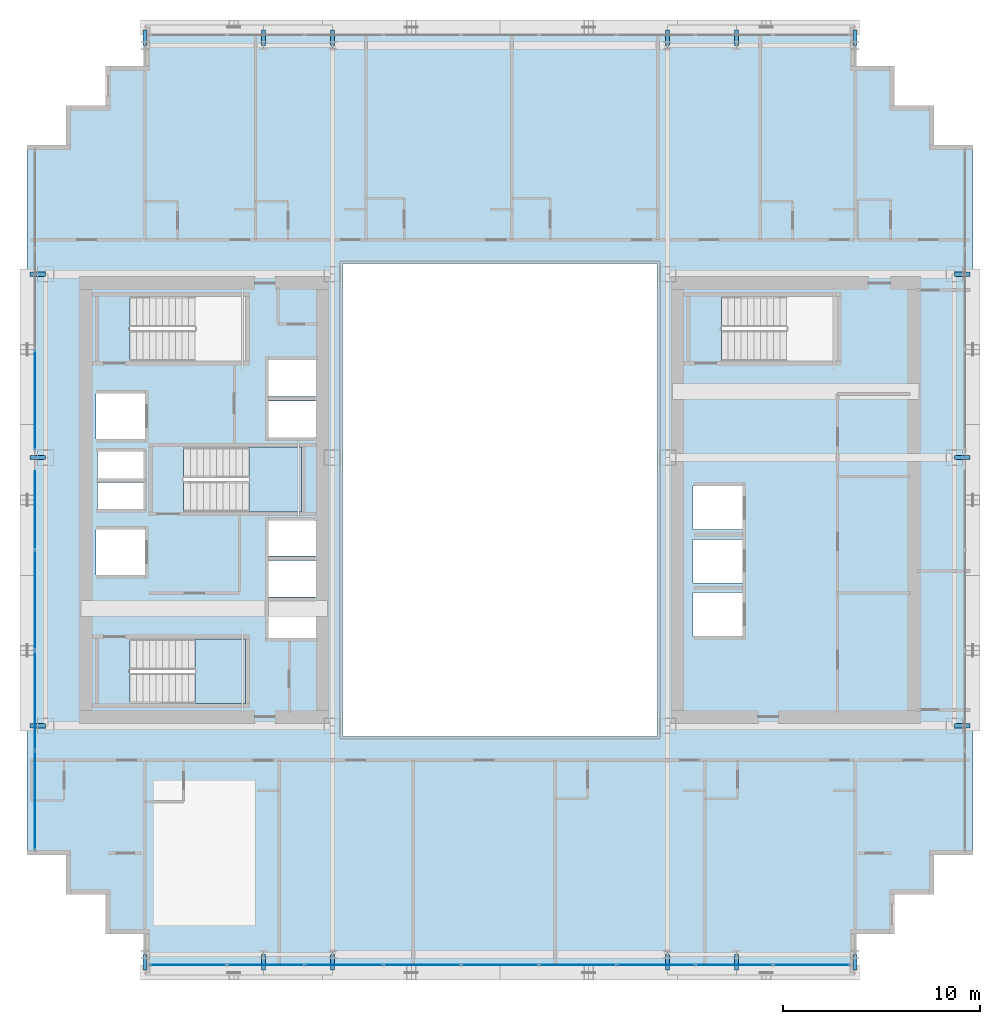
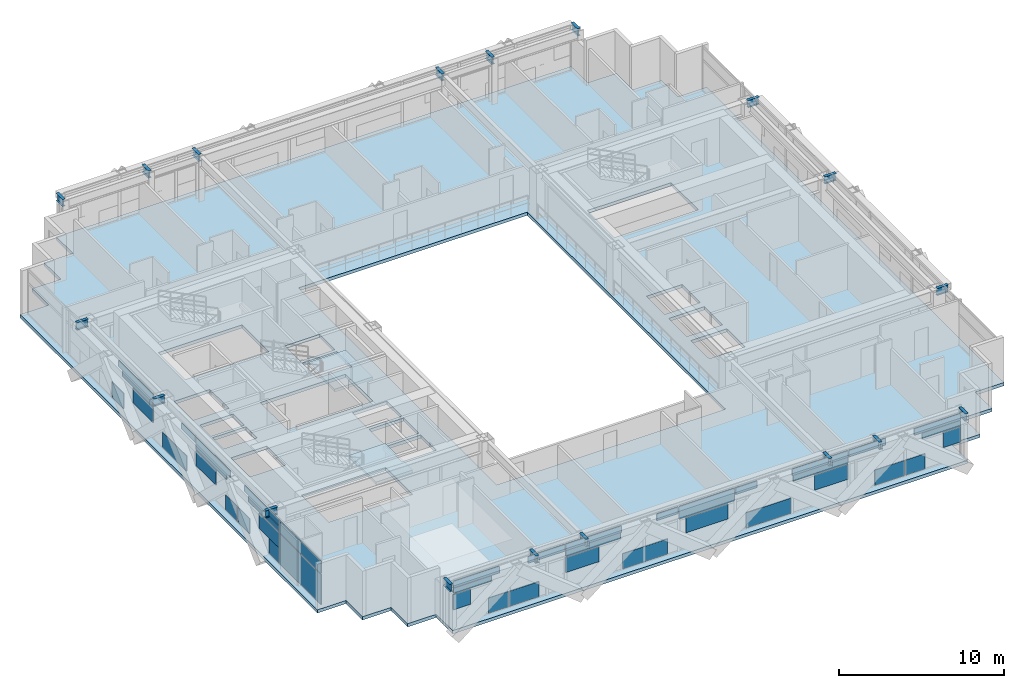
# One storey, part 23 of 35: 41 plates, 18 beams, 3 slabs, 4 elements without a shape of their own.
"""IFC4 building model written with IfcOpenShell, lengths in metres."""

from ifc_helpers import new_model, si_unit, direction, frame, origin, origin_2d, place, context, subcontext, project, spatial, polyline, rectangle, i_section, outline, extrude, source, transform, mapped, material, layer, layer_set, material_profile, profile_set, type_object, element, aggregate, save


model = new_model("IFC4")

# Units and contexts
model_context = context("Model", 3, precision=1e-05, world=origin(), true_north=direction((0.0, 1.0)))
body_context = subcontext(model_context, "Body", "Model", "MODEL_VIEW")
ifc_project = project(units=[si_unit("LENGTHUNIT", "METRE"), si_unit("AREAUNIT", "SQUARE_METRE"), si_unit("VOLUMEUNIT", "CUBIC_METRE"), si_unit("PLANEANGLEUNIT", "RADIAN"), si_unit("MASSUNIT", "GRAM", prefix="KILO")], contexts=[model_context])

# Site, building, storey
site_placement = place(None, origin())
site = spatial("IfcSite", under=ifc_project, at=site_placement, CompositionType="ELEMENT")
building_placement = place(site_placement, origin())
building = spatial("IfcBuilding", under=site, at=building_placement, Name="Ocotamira Hotel", CompositionType="ELEMENT")
storey_placement = place(building_placement, frame((0.0, 0.0, 140.39990234375)))
storey = spatial("IfcBuildingStorey", under=building, at=storey_placement, Name="L35", CompositionType="ELEMENT", Elevation=140.39990234375)

# Beams
ifc_material_1 = material(Name="Steel ASTM A992 Grade 50", Category="steel")
ifc_material_profile = material_profile(ifc_material_1, i_section(OverallWidth=0.2099609375, OverallDepth=0.537109375, WebThickness=0.010986328125, FlangeThickness=0.017333984375, FilletRadius=0.012939453125, at=origin_2d()), Name="W21X68")
ifc_profile_set = profile_set([ifc_material_profile], Name="Steel ASTM A992 Grade 50")
beam_type = type_object("IfcBeamType", Name="BM-SEC-W21X68", PredefinedType="JOIST", material=ifc_profile_set)
shared_shape_1 = source(origin(), body_context, "Body", "SweptSolid", [
    extrude(i_section(OverallWidth=0.2099609375, OverallDepth=0.537109375, WebThickness=0.010986328125, FlangeThickness=0.017333984375, FilletRadius=0.012939453125, at=origin_2d()), origin(), (0.0, 0.0, 1.0), 0.800048828125),
])
for number, where, z_axis, x_axis, name in (
    (1, (14.0, 2.949951171875, 3.091552734375), (0.0, -1.0, 0.0), (1.0, 0.0, 0.0), "L35 South Edge Header X14"),
    (2, (14.0, 49.050048828125, 3.091552734375), (0.0, 1.0, 0.0), (-1.0, 0.0, 0.0), "L35 North Edge Header X14"),
    (3, (20.0, 2.949951171875, 3.091552734375), (0.0, -1.0, 0.0), (1.0, 0.0, 0.0), "L35 South Edge Header X20"),
    (4, (20.0, 49.050048828125, 3.091552734375), (0.0, 1.0, 0.0), (-1.0, 0.0, 0.0), "L35 North Edge Header X20"),
    (5, (23.5, 2.949951171875, 3.091552734375), (0.0, -1.0, 0.0), (1.0, 0.0, 0.0), "L35 South Edge Header X23.5"),
    (6, (23.5, 49.050048828125, 3.091552734375), (0.0, 1.0, 0.0), (-1.0, 0.0, 0.0), "L35 North Edge Header X23.5"),
    (7, (40.5, 2.949951171875, 3.091552734375), (0.0, -1.0, 0.0), (1.0, 0.0, 0.0), "L35 South Edge Header X40.5"),
    (8, (40.5, 49.050048828125, 3.091552734375), (0.0, 1.0, 0.0), (-1.0, 0.0, 0.0), "L35 North Edge Header X40.5"),
    (9, (44.0, 2.949951171875, 3.091552734375), (0.0, -1.0, 0.0), (1.0, 0.0, 0.0), "L35 South Edge Header X44"),
    (10, (44.0, 49.050048828125, 3.091552734375), (0.0, 1.0, 0.0), (-1.0, 0.0, 0.0), "L35 North Edge Header X44"),
    (11, (50.0, 2.949951171875, 3.091552734375), (0.0, -1.0, 0.0), (1.0, 0.0, 0.0), "L35 South Edge Header X50"),
    (12, (50.0, 49.050048828125, 3.091552734375), (0.0, 1.0, 0.0), (-1.0, 0.0, 0.0), "L35 North Edge Header X50"),
    (13, (8.949951171875, 14.550048828125, 3.091552734375), (-1.0, 0.0, 0.0), (0.0, -1.0, 0.0), "L35 West Edge Header Y14.55"),
    (14, (55.050048828125, 14.550048828125, 3.091552734375), (1.0, 0.0, 0.0), (0.0, 1.0, 0.0), "L35 East Edge Header Y14.55"),
    (15, (8.949951171875, 28.14990234375, 3.091552734375), (-1.0, 0.0, 0.0), (0.0, -1.0, 0.0), "L35 West Edge Header Y28.15"),
    (16, (55.050048828125, 28.14990234375, 3.091552734375), (1.0, 0.0, 0.0), (0.0, 1.0, 0.0), "L35 East Edge Header Y28.15"),
    (17, (8.949951171875, 37.449951171875, 3.091552734375), (-1.0, 0.0, 0.0), (0.0, -1.0, 0.0), "L35 West Edge Header Y37.45"),
    (18, (55.050048828125, 37.449951171875, 3.091552734375), (1.0, 0.0, 0.0), (0.0, 1.0, 0.0), "L35 East Edge Header Y37.45"),
):
    element("IfcBeam", number, at=place(storey_placement, frame(where, z_axis=z_axis, x_axis=x_axis)), inside=storey, type_object=beam_type, Name=name, PredefinedType="JOIST", context=body_context, shape_type="MappedRepresentation", body=[
        mapped(shared_shape_1, transform((0.0, 0.0, 0.0), scale=1.0)),
    ])

# Stair, slab
ifc_material_2 = material(Name="Concrete C40/50", Category="concrete")
stair_type = type_object("IfcStairType", Name="ST-CORE-1560", PredefinedType="HALF_TURN_STAIR", material=ifc_material_2)
stair_1_placement = place(storey_placement, origin())
stair_1 = element("IfcStair", 19, at=stair_1_placement, inside=storey, type_object=stair_type, Name="L35 Exit Stair ST-1", PredefinedType="HALF_TURN_STAIR")
ifc_layer_1 = layer(ifc_material_2, 0.199951171875)
ifc_layer_set_1 = layer_set([ifc_layer_1], Name="Concrete C40/50")
slab_type_1 = type_object("IfcSlabType", Name="SLB-LAND-200", PredefinedType="LANDING", material=ifc_layer_set_1)
slab_1_placement = place(storey_placement, frame((0.0, 0.0, 1.60009765625)))
slab_1 = element("IfcSlab", 20, at=slab_1_placement, type_object=slab_type_1, Name="ST-1 landing 1", PredefinedType="LANDING", context=body_context, shape_type="SweptSolid", body=[
    extrude(outline(polyline([(16.530029296875, 15.669921875), (19.090087890625, 15.669921875), (19.090087890625, 18.949951171875), (16.530029296875, 18.949951171875), (16.530029296875, 15.669921875)])), origin(), (0.0, 0.0, 1.0), 0.199951171875),
])
aggregate(stair_1, [slab_1])

stair_2_placement = place(storey_placement, origin())
stair_2 = element("IfcStair", 21, at=stair_2_placement, inside=storey, type_object=stair_type, Name="L35 Exit Stair ST-3", PredefinedType="HALF_TURN_STAIR")
slab_2_placement = place(storey_placement, frame((0.0, 0.0, 1.60009765625)))
slab_2 = element("IfcSlab", 22, at=slab_2_placement, type_object=slab_type_1, Name="ST-3 landing 1", PredefinedType="LANDING", context=body_context, shape_type="SweptSolid", body=[
    extrude(outline(polyline([(19.260009765625, 25.39990234375), (21.919921875, 25.39990234375), (21.919921875, 28.679931640625), (19.260009765625, 28.679931640625), (19.260009765625, 25.39990234375)])), origin(), (0.0, 0.0, 1.0), 0.199951171875),
])
aggregate(stair_2, [slab_2])

# Slab
ifc_layer_2 = layer(ifc_material_2, 0.239990234375)
ifc_layer_set_2 = layer_set([ifc_layer_2], Name="Concrete C40/50")
slab_type_2 = type_object("IfcSlabType", Name="SLB-TYP-240", PredefinedType="FLOOR", material=ifc_layer_set_2)
slab_3_placement = place(storey_placement, frame((0.0, 0.0, -0.239990234375)))
element("IfcSlab", 23, at=slab_3_placement, inside=storey, type_object=slab_type_2, Name="L35 Structural Floor Slab", PredefinedType="FLOOR", context=body_context, shape_type="SweptSolid", body=[
    extrude(outline(polyline([(14.0, 2.0), (50.0, 2.0), (50.0, 4.0), (52.0, 4.0), (52.0, 6.0), (54.0, 6.0), (54.0, 8.0), (56.0, 8.0), (56.0, 44.0), (54.0, 44.0), (54.0, 46.0), (52.0, 46.0), (52.0, 48.0), (50.0, 48.0), (50.0, 50.0), (14.0, 50.0), (14.0, 48.0), (12.0, 48.0), (12.0, 46.0), (10.0, 46.0), (10.0, 44.0), (8.0, 44.0), (8.0, 8.0), (10.0, 8.0), (10.0, 6.0), (12.0, 6.0), (12.0, 4.0), (14.0, 4.0), (14.0, 2.0)]), holes=[polyline([(24.0, 14.0), (40.0, 14.0), (40.0, 38.0), (24.0, 38.0), (24.0, 14.0)]), polyline([(13.22998046875, 15.669921875), (19.090087890625, 15.669921875), (19.090087890625, 18.949951171875), (13.22998046875, 18.949951171875), (13.22998046875, 15.669921875)]), polyline([(13.22998046875, 33.050048828125), (19.090087890625, 33.050048828125), (19.090087890625, 36.330078125), (13.22998046875, 36.330078125), (13.22998046875, 33.050048828125)]), polyline([(15.9599609375, 25.39990234375), (21.919921875, 25.39990234375), (21.919921875, 28.679931640625), (15.9599609375, 28.679931640625), (15.9599609375, 25.39990234375)]), polyline([(43.22998046875, 33.050048828125), (49.090087890625, 33.050048828125), (49.090087890625, 36.330078125), (43.22998046875, 36.330078125), (43.22998046875, 33.050048828125)]), polyline([(41.800048828125, 19.10009765625), (44.300048828125, 19.10009765625), (44.300048828125, 21.300048828125), (41.800048828125, 21.300048828125), (41.800048828125, 19.10009765625)]), polyline([(41.800048828125, 21.800048828125), (44.300048828125, 21.800048828125), (44.300048828125, 24.0), (41.800048828125, 24.0), (41.800048828125, 21.800048828125)]), polyline([(41.800048828125, 24.5), (44.300048828125, 24.5), (44.300048828125, 26.699951171875), (41.800048828125, 26.699951171875), (41.800048828125, 24.5)]), polyline([(20.25, 19.0), (22.659912109375, 19.0), (22.659912109375, 20.85009765625), (20.25, 20.85009765625), (20.25, 19.0)]), polyline([(20.25, 21.080078125), (22.659912109375, 21.080078125), (22.659912109375, 22.929931640625), (20.25, 22.929931640625), (20.25, 21.080078125)]), polyline([(20.25, 23.159912109375), (22.659912109375, 23.159912109375), (22.659912109375, 24.9599609375), (20.25, 24.9599609375), (20.25, 23.159912109375)]), polyline([(20.25, 29.179931640625), (22.659912109375, 29.179931640625), (22.659912109375, 31.030029296875), (20.25, 31.030029296875), (20.25, 29.179931640625)]), polyline([(20.25, 31.260009765625), (22.659912109375, 31.260009765625), (22.659912109375, 33.110107421875), (20.25, 33.110107421875), (20.25, 31.260009765625)]), polyline([(11.5, 22.199951171875), (14.0, 22.199951171875), (14.0, 24.5), (11.5, 24.5), (11.5, 22.199951171875)]), polyline([(11.5, 29.10009765625), (14.0, 29.10009765625), (14.0, 31.39990234375), (11.5, 31.39990234375), (11.5, 29.10009765625)]), polyline([(11.580078125, 25.550048828125), (13.919921875, 25.550048828125), (13.919921875, 26.89990234375), (11.580078125, 26.89990234375), (11.580078125, 25.550048828125)]), polyline([(11.580078125, 27.10009765625), (13.919921875, 27.10009765625), (13.919921875, 28.449951171875), (11.580078125, 28.449951171875), (11.580078125, 27.10009765625)])]), origin(), (0.0, 0.0, 1.0), 0.239990234375),
])

# Curtain wall, plate
ifc_material_3 = material(Name="Anodised pale-metal aluminium and solar glass", Category="aluminium")
ifc_layer_3 = layer(ifc_material_3, 0.179931640625)
ifc_layer_set_3 = layer_set([ifc_layer_3], Name="Anodised pale-metal aluminium and solar glass")
curtain_wall_type = type_object("IfcCurtainWallType", Name="CW-SYS3-Z2", PredefinedType="NOTDEFINED", material=ifc_layer_set_3)
curtain_wall_1_placement = place(storey_placement, origin())
curtain_wall_1 = element("IfcCurtainWall", 24, at=curtain_wall_1_placement, inside=storey, type_object=curtain_wall_type, Name="L35 Curtain Wall CW-3 CW-L35-W", PredefinedType="NOTDEFINED")
ifc_material_4 = material(Name="Double-silver low-E insulated solar glass", Category="glass")
ifc_layer_4 = layer(ifc_material_4, 0.031982421875)
ifc_layer_set_4 = layer_set([ifc_layer_4], Name="Double-silver low-E insulated solar glass")
plate_type = type_object("IfcPlateType", Name="CWP-VISION-32", PredefinedType="CURTAIN_PANEL", material=ifc_layer_set_4)
shared_shape_2 = source(origin(), body_context, "Body", "SweptSolid", [
    extrude(rectangle(XDim=4.9658203125, YDim=0.031982421875, at=origin_2d()), origin(), (0.0, 0.0, 1.0), 2.237548828125),
])
plate_1_placement = place(storey_placement, frame((8.419921875, 10.762939453125, 0.0751953125), z_axis=(0.0, 0.0, 1.0), x_axis=(0.0, 1.0, 0.0)))
plate_1 = element("IfcPlate", 25, at=plate_1_placement, type_object=plate_type, Name="CW-3 panel 1.1", PredefinedType="CURTAIN_PANEL", context=body_context, shape_type="MappedRepresentation", body=[
    mapped(shared_shape_2, transform((0.0, 0.0, 0.0), scale=1.0)),
])

# Curtain wall, plates
curtain_wall_2_placement = place(storey_placement, origin())
curtain_wall_2 = element("IfcCurtainWall", 26, at=curtain_wall_2_placement, inside=storey, type_object=curtain_wall_type, Name="L35 Curtain Wall CW-3 CW-L35-S1", PredefinedType="NOTDEFINED")
shared_shape_3 = source(origin(), body_context, "Body", "SweptSolid", [
    extrude(rectangle(XDim=1.184326171875, YDim=0.031982421875, at=origin_2d()), origin(), (0.0, 0.0, 1.0), 1.118896484375),
])
plate_2_placement = place(storey_placement, frame((14.872314453125, 2.419921875, 1.19384765625), z_axis=(0.0, 0.0, 1.0), x_axis=(1.0, 0.0, 0.0)))
plate_2 = element("IfcPlate", 27, at=plate_2_placement, type_object=plate_type, Name="CW-3 panel 1.1.1", PredefinedType="CURTAIN_PANEL", context=body_context, shape_type="MappedRepresentation", body=[
    mapped(shared_shape_3, transform((0.0, 0.0, 0.0), scale=1.0)),
])
plate_3_placement = place(storey_placement, frame((49.127685546875, 2.419921875, 1.19384765625), z_axis=(0.0, 0.0, 1.0), x_axis=(1.0, 0.0, 0.0)))
plate_3 = element("IfcPlate", 28, at=plate_3_placement, type_object=plate_type, Name="CW-3 panel 9.1.2", PredefinedType="CURTAIN_PANEL", context=body_context, shape_type="MappedRepresentation", body=[
    mapped(shared_shape_3, transform((0.0, 0.0, 0.0), scale=1.0)),
])
shared_shape_4 = source(origin(), body_context, "Body", "SweptSolid", [
    extrude(rectangle(XDim=2.676513671875, YDim=0.031982421875, at=origin_2d()), origin(), (0.0, 0.0, 1.0), 0.39453125),
])
plate_4_placement = place(storey_placement, frame((15.618408203125, 2.419921875, 2.3876953125), z_axis=(0.0, 0.0, 1.0), x_axis=(1.0, 0.0, 0.0)))
plate_4 = element("IfcPlate", 29, at=plate_4_placement, type_object=plate_type, Name="CW-3 panel 1.2.1", PredefinedType="CURTAIN_PANEL", context=body_context, shape_type="MappedRepresentation", body=[
    mapped(shared_shape_4, transform((0.0, 0.0, 0.0), scale=1.0)),
])
plate_5_placement = place(storey_placement, frame((48.381591796875, 2.419921875, 2.3876953125), z_axis=(0.0, 0.0, 1.0), x_axis=(1.0, 0.0, 0.0)))
plate_5 = element("IfcPlate", 30, at=plate_5_placement, type_object=plate_type, Name="CW-3 panel 9.2.2", PredefinedType="CURTAIN_PANEL", context=body_context, shape_type="MappedRepresentation", body=[
    mapped(shared_shape_4, transform((0.0, 0.0, 0.0), scale=1.0)),
])
shared_shape_5 = source(origin(), body_context, "Body", "SweptSolid", [
    extrude(rectangle(XDim=3.208740234375, YDim=0.031982421875, at=origin_2d()), origin(), (0.0, 0.0, 1.0), 0.4716796875),
])
plate_6_placement = place(storey_placement, frame((15.884521484375, 2.419921875, 2.8134765625), z_axis=(0.0, 0.0, 1.0), x_axis=(1.0, 0.0, 0.0)))
plate_6 = element("IfcPlate", 31, at=plate_6_placement, type_object=plate_type, Name="CW-3 panel 1.2.2", PredefinedType="CURTAIN_PANEL", context=body_context, shape_type="MappedRepresentation", body=[
    mapped(shared_shape_5, transform((0.0, 0.0, 0.0), scale=1.0)),
])
plate_7_placement = place(storey_placement, frame((48.115478515625, 2.419921875, 2.8134765625), z_axis=(0.0, 0.0, 1.0), x_axis=(1.0, 0.0, 0.0)))
plate_7 = element("IfcPlate", 32, at=plate_7_placement, type_object=plate_type, Name="CW-3 panel 9.2.1", PredefinedType="CURTAIN_PANEL", context=body_context, shape_type="MappedRepresentation", body=[
    mapped(shared_shape_5, transform((0.0, 0.0, 0.0), scale=1.0)),
])
shared_shape_6 = source(origin(), body_context, "Body", "SweptSolid", [
    extrude(rectangle(XDim=2.559814453125, YDim=0.031982421875, at=origin_2d()), origin(), (0.0, 0.0, 1.0), 0.4716796875),
])
plate_8_placement = place(storey_placement, frame((20.791259765625, 2.419921875, 2.8134765625), z_axis=(0.0, 0.0, 1.0), x_axis=(1.0, 0.0, 0.0)))
plate_8 = element("IfcPlate", 33, at=plate_8_placement, type_object=plate_type, Name="CW-3 panel 2.2.1", PredefinedType="CURTAIN_PANEL", context=body_context, shape_type="MappedRepresentation", body=[
    mapped(shared_shape_6, transform((0.0, 0.0, 0.0), scale=1.0)),
])
plate_9_placement = place(storey_placement, frame((43.208740234375, 2.419921875, 2.8134765625), z_axis=(0.0, 0.0, 1.0), x_axis=(1.0, 0.0, 0.0)))
plate_9 = element("IfcPlate", 34, at=plate_9_placement, type_object=plate_type, Name="CW-3 panel 8.2.1", PredefinedType="CURTAIN_PANEL", context=body_context, shape_type="MappedRepresentation", body=[
    mapped(shared_shape_6, transform((0.0, 0.0, 0.0), scale=1.0)),
])
shared_shape_7 = source(origin(), body_context, "Body", "SweptSolid", [
    extrude(rectangle(XDim=2.313232421875, YDim=0.031982421875, at=origin_2d()), origin(), (0.0, 0.0, 1.0), 1.118896484375),
])
plate_10_placement = place(storey_placement, frame((23.3076171875, 2.419921875, 1.19384765625), z_axis=(0.0, 0.0, 1.0), x_axis=(1.0, 0.0, 0.0)))
plate_10 = element("IfcPlate", 35, at=plate_10_placement, type_object=plate_type, Name="CW-3 panel 3.1.1", PredefinedType="CURTAIN_PANEL", context=body_context, shape_type="MappedRepresentation", body=[
    mapped(shared_shape_7, transform((0.0, 0.0, 0.0), scale=1.0)),
])
plate_11_placement = place(storey_placement, frame((40.6923828125, 2.419921875, 1.19384765625), z_axis=(0.0, 0.0, 1.0), x_axis=(1.0, 0.0, 0.0)))
plate_11 = element("IfcPlate", 36, at=plate_11_placement, type_object=plate_type, Name="CW-3 panel 7.1.1", PredefinedType="CURTAIN_PANEL", context=body_context, shape_type="MappedRepresentation", body=[
    mapped(shared_shape_7, transform((0.0, 0.0, 0.0), scale=1.0)),
])
shared_shape_8 = source(origin(), body_context, "Body", "SweptSolid", [
    extrude(rectangle(XDim=3.805419921875, YDim=0.031982421875, at=origin_2d()), origin(), (0.0, 0.0, 1.0), 0.42578125),
])
plate_12_placement = place(storey_placement, frame((24.0537109375, 2.419921875, 2.3876953125), z_axis=(0.0, 0.0, 1.0), x_axis=(1.0, 0.0, 0.0)))
plate_12 = element("IfcPlate", 37, at=plate_12_placement, type_object=plate_type, Name="CW-3 panel 3.2.1", PredefinedType="CURTAIN_PANEL", context=body_context, shape_type="MappedRepresentation", body=[
    mapped(shared_shape_8, transform((0.0, 0.0, 0.0), scale=1.0)),
])
plate_13_placement = place(storey_placement, frame((39.9462890625, 2.419921875, 2.3876953125), z_axis=(0.0, 0.0, 1.0), x_axis=(1.0, 0.0, 0.0)))
plate_13 = element("IfcPlate", 38, at=plate_13_placement, type_object=plate_type, Name="CW-3 panel 7.2.2", PredefinedType="CURTAIN_PANEL", context=body_context, shape_type="MappedRepresentation", body=[
    mapped(shared_shape_8, transform((0.0, 0.0, 0.0), scale=1.0)),
])
shared_shape_9 = source(origin(), body_context, "Body", "SweptSolid", [
    extrude(rectangle(XDim=3.87548828125, YDim=0.031982421875, at=origin_2d()), origin(), (0.0, 0.0, 1.0), 0.4716796875),
])
plate_14_placement = place(storey_placement, frame((24.0888671875, 2.419921875, 2.8134765625), z_axis=(0.0, 0.0, 1.0), x_axis=(1.0, 0.0, 0.0)))
plate_14 = element("IfcPlate", 39, at=plate_14_placement, type_object=plate_type, Name="CW-3 panel 3.2.2", PredefinedType="CURTAIN_PANEL", context=body_context, shape_type="MappedRepresentation", body=[
    mapped(shared_shape_9, transform((0.0, 0.0, 0.0), scale=1.0)),
])
plate_15_placement = place(storey_placement, frame((39.9111328125, 2.419921875, 2.8134765625), z_axis=(0.0, 0.0, 1.0), x_axis=(1.0, 0.0, 0.0)))
plate_15 = element("IfcPlate", 40, at=plate_15_placement, type_object=plate_type, Name="CW-3 panel 7.2.1", PredefinedType="CURTAIN_PANEL", context=body_context, shape_type="MappedRepresentation", body=[
    mapped(shared_shape_9, transform((0.0, 0.0, 0.0), scale=1.0)),
])
shared_shape_10 = source(origin(), body_context, "Body", "SweptSolid", [
    extrude(rectangle(XDim=1.470947265625, YDim=0.031982421875, at=origin_2d()), origin(), (0.0, 0.0, 1.0), 0.4716796875),
])
plate_16_placement = place(storey_placement, frame((29.24658203125, 2.419921875, 2.8134765625), z_axis=(0.0, 0.0, 1.0), x_axis=(1.0, 0.0, 0.0)))
plate_16 = element("IfcPlate", 41, at=plate_16_placement, type_object=plate_type, Name="CW-3 panel 4.2.1", PredefinedType="CURTAIN_PANEL", context=body_context, shape_type="MappedRepresentation", body=[
    mapped(shared_shape_10, transform((0.0, 0.0, 0.0), scale=1.0)),
])
plate_17_placement = place(storey_placement, frame((34.75341796875, 2.419921875, 2.8134765625), z_axis=(0.0, 0.0, 1.0), x_axis=(1.0, 0.0, 0.0)))
plate_17 = element("IfcPlate", 42, at=plate_17_placement, type_object=plate_type, Name="CW-3 panel 6.2.1", PredefinedType="CURTAIN_PANEL", context=body_context, shape_type="MappedRepresentation", body=[
    mapped(shared_shape_10, transform((0.0, 0.0, 0.0), scale=1.0)),
])
shared_shape_11 = source(origin(), body_context, "Body", "SweptSolid", [
    extrude(rectangle(XDim=2.9287109375, YDim=0.031982421875, at=origin_2d()), origin(), (0.0, 0.0, 1.0), 1.118896484375),
])
plate_18_placement = place(storey_placement, frame((32.0, 2.419921875, 1.19384765625), z_axis=(0.0, 0.0, 1.0), x_axis=(1.0, 0.0, 0.0)))
plate_18 = element("IfcPlate", 43, at=plate_18_placement, type_object=plate_type, Name="CW-3 panel 5.1.1", PredefinedType="CURTAIN_PANEL", context=body_context, shape_type="MappedRepresentation", body=[
    mapped(shared_shape_11, transform((0.0, 0.0, 0.0), scale=1.0)),
])
shared_shape_12 = source(origin(), body_context, "Body", "SweptSolid", [
    extrude(rectangle(XDim=3.87548828125, YDim=0.031982421875, at=origin_2d()), origin(), (0.0, 0.0, 1.0), 0.8974609375),
])
plate_19_placement = place(storey_placement, frame((32.0, 2.419921875, 2.3876953125), z_axis=(0.0, 0.0, 1.0), x_axis=(1.0, 0.0, 0.0)))
plate_19 = element("IfcPlate", 44, at=plate_19_placement, type_object=plate_type, Name="CW-3 panel 5.2", PredefinedType="CURTAIN_PANEL", context=body_context, shape_type="MappedRepresentation", body=[
    mapped(shared_shape_12, transform((0.0, 0.0, 0.0), scale=1.0)),
])

# Plate
shared_shape_13 = source(origin(), body_context, "Body", "SweptSolid", [
    extrude(rectangle(XDim=4.9658203125, YDim=0.031982421875, at=origin_2d()), origin(), (0.0, 0.0, 1.0), 0.8974609375),
])
plate_20_placement = place(storey_placement, frame((8.419921875, 10.762939453125, 2.3876953125), z_axis=(0.0, 0.0, 1.0), x_axis=(0.0, 1.0, 0.0)))
plate_20 = element("IfcPlate", 45, at=plate_20_placement, type_object=plate_type, Name="CW-3 panel 1.2", PredefinedType="CURTAIN_PANEL", context=body_context, shape_type="MappedRepresentation", body=[
    mapped(shared_shape_13, transform((0.0, 0.0, 0.0), scale=1.0)),
])

shared_shape_14 = source(origin(), body_context, "Body", "SweptSolid", [
    extrude(rectangle(XDim=2.426513671875, YDim=0.031982421875, at=origin_2d()), origin(), (0.0, 0.0, 1.0), 1.118896484375),
])
plate_21_placement = place(storey_placement, frame((8.419921875, 14.538818359375, 1.19384765625), z_axis=(0.0, 0.0, 1.0), x_axis=(0.0, 1.0, 0.0)))
plate_21 = element("IfcPlate", 46, at=plate_21_placement, type_object=plate_type, Name="CW-3 panel 2.1.2", PredefinedType="CURTAIN_PANEL", context=body_context, shape_type="MappedRepresentation", body=[
    mapped(shared_shape_14, transform((0.0, 0.0, 0.0), scale=1.0)),
])

shared_shape_15 = source(origin(), body_context, "Body", "SweptSolid", [
    extrude(rectangle(XDim=3.69189453125, YDim=0.031982421875, at=origin_2d()), origin(), (0.0, 0.0, 1.0), 0.414306640625),
])
plate_22_placement = place(storey_placement, frame((8.419921875, 15.171630859375, 2.3876953125), z_axis=(0.0, 0.0, 1.0), x_axis=(0.0, 1.0, 0.0)))
plate_22 = element("IfcPlate", 47, at=plate_22_placement, type_object=plate_type, Name="CW-3 panel 2.2.1", PredefinedType="CURTAIN_PANEL", context=body_context, shape_type="MappedRepresentation", body=[
    mapped(shared_shape_15, transform((0.0, 0.0, 0.0), scale=1.0)),
])

shared_shape_16 = source(origin(), body_context, "Body", "SweptSolid", [
    extrude(rectangle(XDim=4.16748046875, YDim=0.031982421875, at=origin_2d()), origin(), (0.0, 0.0, 1.0), 0.44873046875),
])
plate_23_placement = place(storey_placement, frame((8.419921875, 15.409423828125, 2.83642578125), z_axis=(0.0, 0.0, 1.0), x_axis=(0.0, 1.0, 0.0)))
plate_23 = element("IfcPlate", 48, at=plate_23_placement, type_object=plate_type, Name="CW-3 panel 2.2.2", PredefinedType="CURTAIN_PANEL", context=body_context, shape_type="MappedRepresentation", body=[
    mapped(shared_shape_16, transform((0.0, 0.0, 0.0), scale=1.0)),
])

shared_shape_17 = source(origin(), body_context, "Body", "SweptSolid", [
    extrude(rectangle(XDim=2.404296875, YDim=0.031982421875, at=origin_2d()), origin(), (0.0, 0.0, 1.0), 1.118896484375),
])
plate_24_placement = place(storey_placement, frame((8.419921875, 22.183349609375, 1.19384765625), z_axis=(0.0, 0.0, 1.0), x_axis=(0.0, 1.0, 0.0)))
plate_24 = element("IfcPlate", 49, at=plate_24_placement, type_object=plate_type, Name="CW-3 panel 3.1.2", PredefinedType="CURTAIN_PANEL", context=body_context, shape_type="MappedRepresentation", body=[
    mapped(shared_shape_17, transform((0.0, 0.0, 0.0), scale=1.0)),
])

plate_25_placement = place(storey_placement, frame((8.419921875, 29.816650390625, 1.19384765625), z_axis=(0.0, 0.0, 1.0), x_axis=(0.0, 1.0, 0.0)))
plate_25 = element("IfcPlate", 50, at=plate_25_placement, type_object=plate_type, Name="CW-3 panel 5.1.1", PredefinedType="CURTAIN_PANEL", context=body_context, shape_type="MappedRepresentation", body=[
    mapped(shared_shape_17, transform((0.0, 0.0, 0.0), scale=1.0)),
])

shared_shape_18 = source(origin(), body_context, "Body", "SweptSolid", [
    extrude(rectangle(XDim=4.17724609375, YDim=0.031982421875, at=origin_2d()), origin(), (0.0, 0.0, 1.0), 0.44873046875),
])
plate_26_placement = place(storey_placement, frame((8.419921875, 21.32861328125, 2.83642578125), z_axis=(0.0, 0.0, 1.0), x_axis=(0.0, 1.0, 0.0)))
plate_26 = element("IfcPlate", 51, at=plate_26_placement, type_object=plate_type, Name="CW-3 panel 3.2.1", PredefinedType="CURTAIN_PANEL", context=body_context, shape_type="MappedRepresentation", body=[
    mapped(shared_shape_18, transform((0.0, 0.0, 0.0), scale=1.0)),
])

plate_27_placement = place(storey_placement, frame((8.419921875, 30.67138671875, 2.83642578125), z_axis=(0.0, 0.0, 1.0), x_axis=(0.0, 1.0, 0.0)))
plate_27 = element("IfcPlate", 52, at=plate_27_placement, type_object=plate_type, Name="CW-3 panel 5.2.2", PredefinedType="CURTAIN_PANEL", context=body_context, shape_type="MappedRepresentation", body=[
    mapped(shared_shape_18, transform((0.0, 0.0, 0.0), scale=1.0)),
])

shared_shape_19 = source(origin(), body_context, "Body", "SweptSolid", [
    extrude(rectangle(XDim=3.70166015625, YDim=0.031982421875, at=origin_2d()), origin(), (0.0, 0.0, 1.0), 0.414306640625),
])
plate_28_placement = place(storey_placement, frame((8.419921875, 21.56640625, 2.3876953125), z_axis=(0.0, 0.0, 1.0), x_axis=(0.0, 1.0, 0.0)))
plate_28 = element("IfcPlate", 53, at=plate_28_placement, type_object=plate_type, Name="CW-3 panel 3.2.2", PredefinedType="CURTAIN_PANEL", context=body_context, shape_type="MappedRepresentation", body=[
    mapped(shared_shape_19, transform((0.0, 0.0, 0.0), scale=1.0)),
])

plate_29_placement = place(storey_placement, frame((8.419921875, 30.43359375, 2.3876953125), z_axis=(0.0, 0.0, 1.0), x_axis=(0.0, 1.0, 0.0)))
plate_29 = element("IfcPlate", 54, at=plate_29_placement, type_object=plate_type, Name="CW-3 panel 5.2.1", PredefinedType="CURTAIN_PANEL", context=body_context, shape_type="MappedRepresentation", body=[
    mapped(shared_shape_19, transform((0.0, 0.0, 0.0), scale=1.0)),
])

shared_shape_20 = source(origin(), body_context, "Body", "SweptSolid", [
    extrude(rectangle(XDim=1.629638671875, YDim=0.031982421875, at=origin_2d()), origin(), (0.0, 0.0, 1.0), 0.44873046875),
])
plate_30_placement = place(storey_placement, frame((8.419921875, 24.31201171875, 2.83642578125), z_axis=(0.0, 0.0, 1.0), x_axis=(0.0, 1.0, 0.0)))
plate_30 = element("IfcPlate", 55, at=plate_30_placement, type_object=plate_type, Name="CW-3 panel 4.2.1", PredefinedType="CURTAIN_PANEL", context=body_context, shape_type="MappedRepresentation", body=[
    mapped(shared_shape_20, transform((0.0, 0.0, 0.0), scale=1.0)),
])

shared_shape_21 = source(origin(), body_context, "Body", "SweptSolid", [
    extrude(rectangle(XDim=1.37060546875, YDim=0.031982421875, at=origin_2d()), origin(), (0.0, 0.0, 1.0), 1.118896484375),
])
plate_31_placement = place(storey_placement, frame((17.430419921875, 2.419921875, 0.0751953125), z_axis=(0.0, 0.0, 1.0), x_axis=(1.0, 0.0, 0.0)))
plate_31 = element("IfcPlate", 56, at=plate_31_placement, type_object=plate_type, Name="CW-3 panel 1.1.2", PredefinedType="CURTAIN_PANEL", context=body_context, shape_type="MappedRepresentation", body=[
    mapped(shared_shape_21, transform((0.0, 0.0, 0.0), scale=1.0)),
])

plate_32_placement = place(storey_placement, frame((46.569580078125, 2.419921875, 0.0751953125), z_axis=(0.0, 0.0, 1.0), x_axis=(1.0, 0.0, 0.0)))
plate_32 = element("IfcPlate", 57, at=plate_32_placement, type_object=plate_type, Name="CW-3 panel 9.1.1", PredefinedType="CURTAIN_PANEL", context=body_context, shape_type="MappedRepresentation", body=[
    mapped(shared_shape_21, transform((0.0, 0.0, 0.0), scale=1.0)),
])

shared_shape_22 = source(origin(), body_context, "Body", "SweptSolid", [
    extrude(rectangle(XDim=2.059326171875, YDim=0.031982421875, at=origin_2d()), origin(), (0.0, 0.0, 1.0), 1.118896484375),
])
plate_33_placement = place(storey_placement, frame((19.225341796875, 2.419921875, 0.0751953125), z_axis=(0.0, 0.0, 1.0), x_axis=(1.0, 0.0, 0.0)))
plate_33 = element("IfcPlate", 58, at=plate_33_placement, type_object=plate_type, Name="CW-3 panel 2.1.1", PredefinedType="CURTAIN_PANEL", context=body_context, shape_type="MappedRepresentation", body=[
    mapped(shared_shape_22, transform((0.0, 0.0, 0.0), scale=1.0)),
])

plate_34_placement = place(storey_placement, frame((44.774658203125, 2.419921875, 0.0751953125), z_axis=(0.0, 0.0, 1.0), x_axis=(1.0, 0.0, 0.0)))
plate_34 = element("IfcPlate", 59, at=plate_34_placement, type_object=plate_type, Name="CW-3 panel 8.1.1", PredefinedType="CURTAIN_PANEL", context=body_context, shape_type="MappedRepresentation", body=[
    mapped(shared_shape_22, transform((0.0, 0.0, 0.0), scale=1.0)),
])

shared_shape_23 = source(origin(), body_context, "Body", "SweptSolid", [
    extrude(rectangle(XDim=3.148193359375, YDim=0.031982421875, at=origin_2d()), origin(), (0.0, 0.0, 1.0), 1.118896484375),
])
plate_35_placement = place(storey_placement, frame((27.680908203125, 2.419921875, 0.0751953125), z_axis=(0.0, 0.0, 1.0), x_axis=(1.0, 0.0, 0.0)))
plate_35 = element("IfcPlate", 60, at=plate_35_placement, type_object=plate_type, Name="CW-3 panel 4.1.1", PredefinedType="CURTAIN_PANEL", context=body_context, shape_type="MappedRepresentation", body=[
    mapped(shared_shape_23, transform((0.0, 0.0, 0.0), scale=1.0)),
])

plate_36_placement = place(storey_placement, frame((36.319091796875, 2.419921875, 0.0751953125), z_axis=(0.0, 0.0, 1.0), x_axis=(1.0, 0.0, 0.0)))
plate_36 = element("IfcPlate", 61, at=plate_36_placement, type_object=plate_type, Name="CW-3 panel 6.1.1", PredefinedType="CURTAIN_PANEL", context=body_context, shape_type="MappedRepresentation", body=[
    mapped(shared_shape_23, transform((0.0, 0.0, 0.0), scale=1.0)),
])

aggregate(curtain_wall_2, [plate_2, plate_31, plate_4, plate_6, plate_33, plate_8, plate_10, plate_12, plate_14, plate_35, plate_16, plate_18, plate_19, plate_36, plate_17, plate_11, plate_15, plate_13, plate_34, plate_9, plate_32, plate_3, plate_7, plate_5])

shared_shape_24 = source(origin(), body_context, "Body", "SweptSolid", [
    extrude(rectangle(XDim=1.240234375, YDim=0.031982421875, at=origin_2d()), origin(), (0.0, 0.0, 1.0), 1.118896484375),
])
plate_37_placement = place(storey_placement, frame((8.419921875, 13.94580078125, 0.0751953125), z_axis=(0.0, 0.0, 1.0), x_axis=(0.0, 1.0, 0.0)))
plate_37 = element("IfcPlate", 62, at=plate_37_placement, type_object=plate_type, Name="CW-3 panel 2.1.1", PredefinedType="CURTAIN_PANEL", context=body_context, shape_type="MappedRepresentation", body=[
    mapped(shared_shape_24, transform((0.0, 0.0, 0.0), scale=1.0)),
])

shared_shape_25 = source(origin(), body_context, "Body", "SweptSolid", [
    extrude(rectangle(XDim=1.413330078125, YDim=0.031982421875, at=origin_2d()), origin(), (0.0, 0.0, 1.0), 1.118896484375),
])
plate_38_placement = place(storey_placement, frame((8.419921875, 17.624755859375, 0.0751953125), z_axis=(0.0, 0.0, 1.0), x_axis=(0.0, 1.0, 0.0)))
plate_38 = element("IfcPlate", 63, at=plate_38_placement, type_object=plate_type, Name="CW-3 panel 2.1.3", PredefinedType="CURTAIN_PANEL", context=body_context, shape_type="MappedRepresentation", body=[
    mapped(shared_shape_25, transform((0.0, 0.0, 0.0), scale=1.0)),
])

shared_shape_26 = source(origin(), body_context, "Body", "SweptSolid", [
    extrude(rectangle(XDim=1.40380859375, YDim=0.031982421875, at=origin_2d()), origin(), (0.0, 0.0, 1.0), 1.118896484375),
])
plate_39_placement = place(storey_placement, frame((8.419921875, 19.11328125, 0.0751953125), z_axis=(0.0, 0.0, 1.0), x_axis=(0.0, 1.0, 0.0)))
plate_39 = element("IfcPlate", 64, at=plate_39_placement, type_object=plate_type, Name="CW-3 panel 3.1.1", PredefinedType="CURTAIN_PANEL", context=body_context, shape_type="MappedRepresentation", body=[
    mapped(shared_shape_26, transform((0.0, 0.0, 0.0), scale=1.0)),
])

plate_40_placement = place(storey_placement, frame((8.419921875, 32.88671875, 0.0751953125), z_axis=(0.0, 0.0, 1.0), x_axis=(0.0, 1.0, 0.0)))
plate_40 = element("IfcPlate", 65, at=plate_40_placement, type_object=plate_type, Name="CW-3 panel 5.1.2", PredefinedType="CURTAIN_PANEL", context=body_context, shape_type="MappedRepresentation", body=[
    mapped(shared_shape_26, transform((0.0, 0.0, 0.0), scale=1.0)),
])

shared_shape_27 = source(origin(), body_context, "Body", "SweptSolid", [
    extrude(rectangle(XDim=2.897216796875, YDim=0.031982421875, at=origin_2d()), origin(), (0.0, 0.0, 1.0), 1.118896484375),
])
plate_41_placement = place(storey_placement, frame((8.419921875, 26.0, 0.0751953125), z_axis=(0.0, 0.0, 1.0), x_axis=(0.0, 1.0, 0.0)))
plate_41 = element("IfcPlate", 66, at=plate_41_placement, type_object=plate_type, Name="CW-3 panel 4.1.1", PredefinedType="CURTAIN_PANEL", context=body_context, shape_type="MappedRepresentation", body=[
    mapped(shared_shape_27, transform((0.0, 0.0, 0.0), scale=1.0)),
])

aggregate(curtain_wall_1, [plate_1, plate_20, plate_37, plate_21, plate_38, plate_22, plate_23, plate_39, plate_24, plate_26, plate_28, plate_41, plate_30, plate_25, plate_40, plate_29, plate_27])

save(model, "model.ifc")
